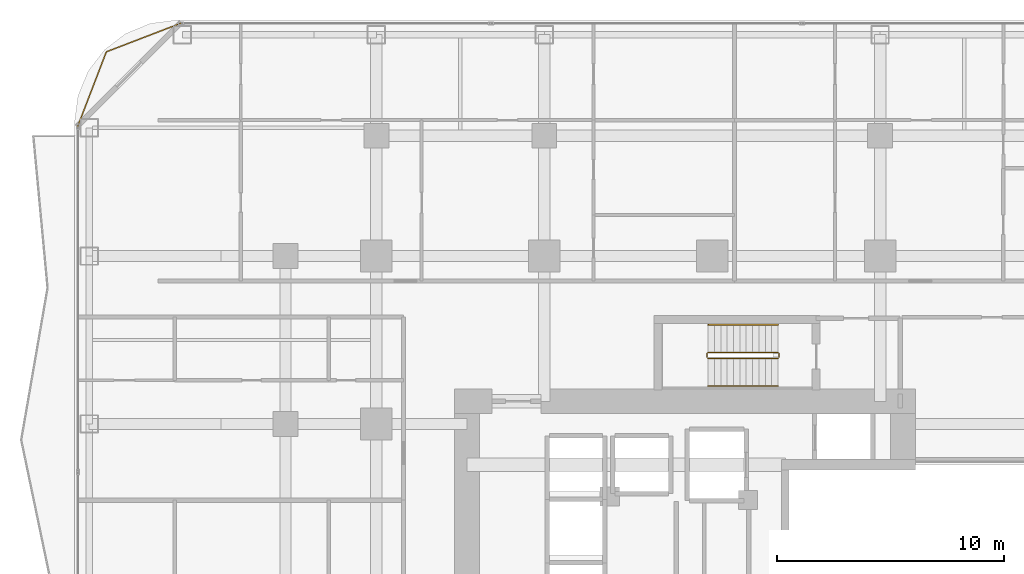
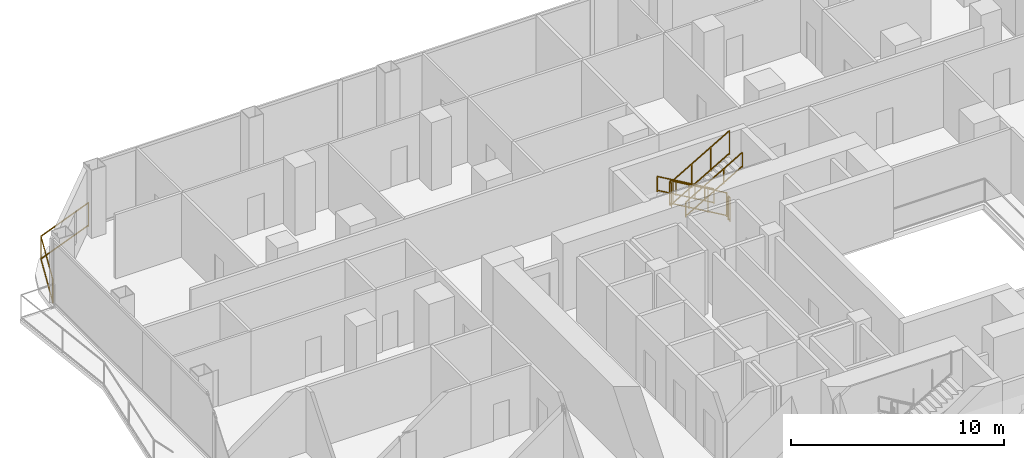
# One storey, part 28 of 29: 7 railings.
"""IFC4 building model written with IfcOpenShell, lengths in metres."""

from ifc_helpers import new_model, si_unit, direction, frame, origin, origin_2d, place, context, subcontext, project, spatial, rectangle, extrude, material, type_object, element, save


model = new_model("IFC4")

# Units and contexts
model_context = context("Model", 3, precision=1e-05, world=origin(), true_north=direction((0.0, 1.0)))
body_context = subcontext(model_context, "Body", "Model", "MODEL_VIEW")
ifc_project = project(units=[si_unit("LENGTHUNIT", "METRE"), si_unit("AREAUNIT", "SQUARE_METRE"), si_unit("VOLUMEUNIT", "CUBIC_METRE"), si_unit("PLANEANGLEUNIT", "RADIAN"), si_unit("MASSUNIT", "GRAM", prefix="KILO")], contexts=[model_context])

# Site, building, storey
site_placement = place(None, origin())
site = spatial("IfcSite", under=ifc_project, at=site_placement, CompositionType="ELEMENT")
building_placement = place(site_placement, origin())
building = spatial("IfcBuilding", under=site, at=building_placement, Name="Khorvyn Point Tower", CompositionType="ELEMENT")
storey_placement = place(building_placement, frame((0.0, 0.0, 54.0)))
storey = spatial("IfcBuildingStorey", under=building, at=storey_placement, Name="L14", CompositionType="ELEMENT", Elevation=54.0)

# Railings
ifc_material_1 = material(Name="Anodised aluminium 6063-T6 and laminated safety glass", Category="aluminium")
railing_type_1 = type_object("IfcRailingType", Name="Laminated Glass and Aluminium Balcony Guardrail 1400", PredefinedType="BALUSTRADE", material=ifc_material_1)
railing_1_placement = place(storey_placement, frame((-23.370849609375, 25.073974609375, 0.0)))
element("IfcRailing", 1, at=railing_1_placement, inside=storey, type_object=railing_type_1, Name="L14 Rounded Corner Edge Guardrail NW", PredefinedType="BALUSTRADE", context=body_context, shape_type="SweptSolid", body=[
    extrude(rectangle(XDim=0.048095703125, YDim=0.048095703125, at=origin_2d()), frame((0.0, 0.0, 1.3759765625), z_axis=(-0.933575007025, -0.358382067435, 0.0), x_axis=(0.358382067435, -0.933575007025, 0.0)), (0.0, 0.0, 1.0), 3.562744140625),
    extrude(rectangle(XDim=0.048095703125, YDim=0.048095703125, at=origin_2d()), frame((0.0, 0.0, 0.080078125), z_axis=(-0.933575007025, -0.358382067435, 0.0), x_axis=(0.358382067435, -0.933575007025, 0.0)), (0.0, 0.0, 1.0), 3.562744140625),
    extrude(rectangle(XDim=0.048095703125, YDim=0.048095703125, at=origin_2d()), frame((-3.326171875, -1.27685546875, 1.3759765625), z_axis=(-0.35841886047, -0.933560882031, 0.0), x_axis=(0.933560882031, -0.35841886047, 0.0)), (0.0, 0.0, 1.0), 3.563232421875),
    extrude(rectangle(XDim=0.048095703125, YDim=0.048095703125, at=origin_2d()), frame((-3.326171875, -1.27685546875, 0.080078125), z_axis=(-0.35841886047, -0.933560882031, 0.0), x_axis=(0.933560882031, -0.35841886047, 0.0)), (0.0, 0.0, 1.0), 3.563232421875),
    extrude(rectangle(XDim=0.0419921875, YDim=0.0419921875, at=origin_2d()), origin(), (0.0, 0.0, 1.0), 1.351806640625),
    extrude(rectangle(XDim=0.0419921875, YDim=0.0419921875, at=origin_2d()), frame((-3.326171875, -1.27685546875, 0.0)), (0.0, 0.0, 1.0), 1.351806640625),
    extrude(rectangle(XDim=0.0419921875, YDim=0.0419921875, at=origin_2d()), frame((-4.603271484375, -4.603271484375, 0.0)), (0.0, 0.0, 1.0), 1.351806640625),
])
ifc_material_2 = material(Name="Stainless steel 1.4301", Category="steel")
railing_type_2 = type_object("IfcRailingType", Name="Stainless Steel 304 Stair Pitch Handrail 900", PredefinedType="HANDRAIL", material=ifc_material_2)
railing_2_placement = place(storey_placement, frame((2.89990234375, 11.77001953125, 0.16259765625)))
element("IfcRailing", 2, at=railing_2_placement, inside=storey, type_object=railing_type_2, Name="L14 ST-02 stair handrail 1", PredefinedType="HANDRAIL", context=body_context, shape_type="SweptSolid", body=[
    extrude(rectangle(XDim=0.048095703125, YDim=0.048095703125, at=origin_2d()), frame((0.0, 0.0, 0.8759765625), z_axis=(-0.864903211148, 0.0, 0.501938676878), x_axis=(0.0, -1.0, 0.0)), (0.0, 0.0, 1.0), 3.560791015625),
    extrude(rectangle(XDim=0.048095703125, YDim=0.048095703125, at=origin_2d()), frame((0.0, 0.0, 0.080078125), z_axis=(-0.864903211148, 0.0, 0.501938676878), x_axis=(0.0, -1.0, 0.0)), (0.0, 0.0, 1.0), 3.560791015625),
    extrude(rectangle(XDim=0.0419921875, YDim=0.0419921875, at=origin_2d()), origin(), (0.0, 0.0, 1.0), 0.851806640625),
    extrude(rectangle(XDim=0.0419921875, YDim=0.0419921875, at=origin_2d()), frame((-1.026611328125, 0.0, 0.595703125)), (0.0, 0.0, 1.0), 0.851806640625),
    extrude(rectangle(XDim=0.0419921875, YDim=0.0419921875, at=origin_2d()), frame((-2.05322265625, 0.0, 1.191650390625)), (0.0, 0.0, 1.0), 0.851806640625),
    extrude(rectangle(XDim=0.0419921875, YDim=0.0419921875, at=origin_2d()), frame((-3.079833984375, 0.0, 1.787353515625)), (0.0, 0.0, 1.0), 0.851806640625),
])
railing_3_placement = place(storey_placement, frame((-0.179931640625, 9.070068359375, 2.112548828125)))
element("IfcRailing", 3, at=railing_3_placement, inside=storey, type_object=railing_type_2, Name="L14 ST-02 stair handrail 2", PredefinedType="HANDRAIL", context=body_context, shape_type="SweptSolid", body=[
    extrude(rectangle(XDim=0.048095703125, YDim=0.048095703125, at=origin_2d()), frame((0.0, 0.0, 0.8759765625), z_axis=(0.864903211148, 0.0, 0.501938676878), x_axis=(0.0, 1.0, 0.0)), (0.0, 0.0, 1.0), 3.560791015625),
    extrude(rectangle(XDim=0.048095703125, YDim=0.048095703125, at=origin_2d()), frame((0.0, 0.0, 0.080078125), z_axis=(0.864903211148, 0.0, 0.501938676878), x_axis=(0.0, 1.0, 0.0)), (0.0, 0.0, 1.0), 3.560791015625),
    extrude(rectangle(XDim=0.0419921875, YDim=0.0419921875, at=origin_2d()), origin(), (0.0, 0.0, 1.0), 0.851806640625),
    extrude(rectangle(XDim=0.0419921875, YDim=0.0419921875, at=origin_2d()), frame((1.026611328125, 0.0, 0.595703125)), (0.0, 0.0, 1.0), 0.851806640625),
    extrude(rectangle(XDim=0.0419921875, YDim=0.0419921875, at=origin_2d()), frame((2.05322265625, 0.0, 1.191650390625)), (0.0, 0.0, 1.0), 0.851806640625),
    extrude(rectangle(XDim=0.0419921875, YDim=0.0419921875, at=origin_2d()), frame((3.079833984375, 0.0, 1.787353515625)), (0.0, 0.0, 1.0), 0.851806640625),
])
railing_type_3 = type_object("IfcRailingType", Name="Stainless Steel 304 Stair Well Guardrail 1400", PredefinedType="GUARDRAIL", material=ifc_material_2)
railing_4_placement = place(storey_placement, frame((2.89990234375, 10.550048828125, 0.16259765625)))
element("IfcRailing", 4, at=railing_4_placement, inside=storey, type_object=railing_type_3, Name="L14 ST-02 stair guard 1", PredefinedType="GUARDRAIL", context=body_context, shape_type="SweptSolid", body=[
    extrude(rectangle(XDim=0.048095703125, YDim=0.048095703125, at=origin_2d()), frame((0.0, 0.0, 1.3759765625), z_axis=(-0.864903211148, 0.0, 0.501938676878), x_axis=(0.0, -1.0, 0.0)), (0.0, 0.0, 1.0), 3.560791015625),
    extrude(rectangle(XDim=0.048095703125, YDim=0.048095703125, at=origin_2d()), frame((0.0, 0.0, 0.080078125), z_axis=(-0.864903211148, 0.0, 0.501938676878), x_axis=(0.0, -1.0, 0.0)), (0.0, 0.0, 1.0), 3.560791015625),
    extrude(rectangle(XDim=0.0419921875, YDim=0.0419921875, at=origin_2d()), origin(), (0.0, 0.0, 1.0), 1.351806640625),
    extrude(rectangle(XDim=0.0419921875, YDim=0.0419921875, at=origin_2d()), frame((-1.026611328125, 0.0, 0.595703125)), (0.0, 0.0, 1.0), 1.351806640625),
    extrude(rectangle(XDim=0.0419921875, YDim=0.0419921875, at=origin_2d()), frame((-2.05322265625, 0.0, 1.191650390625)), (0.0, 0.0, 1.0), 1.351806640625),
    extrude(rectangle(XDim=0.0419921875, YDim=0.0419921875, at=origin_2d()), frame((-3.079833984375, 0.0, 1.787353515625)), (0.0, 0.0, 1.0), 1.351806640625),
])
railing_5_placement = place(storey_placement, frame((-0.22998046875, 10.5, 1.949951171875)))
element("IfcRailing", 5, at=railing_5_placement, inside=storey, type_object=railing_type_3, Name="L14 ST-02 stair guard 2", PredefinedType="GUARDRAIL", context=body_context, shape_type="SweptSolid", body=[
    extrude(rectangle(XDim=0.048095703125, YDim=0.048095703125, at=origin_2d()), frame((0.0, 0.0, 1.3759765625), z_axis=(0.0, -1.0, 0.0), x_axis=(1.0, 0.0, 0.0)), (0.0, 0.0, 1.0), 0.159912109375),
    extrude(rectangle(XDim=0.048095703125, YDim=0.048095703125, at=origin_2d()), frame((0.0, 0.0, 0.080078125), z_axis=(0.0, -1.0, 0.0), x_axis=(1.0, 0.0, 0.0)), (0.0, 0.0, 1.0), 0.159912109375),
    extrude(rectangle(XDim=0.0419921875, YDim=0.0419921875, at=origin_2d()), origin(), (0.0, 0.0, 1.0), 1.351806640625),
    extrude(rectangle(XDim=0.0419921875, YDim=0.0419921875, at=origin_2d()), frame((0.0, -0.159912109375, 0.0)), (0.0, 0.0, 1.0), 1.351806640625),
])
railing_6_placement = place(storey_placement, frame((-0.179931640625, 10.2900390625, 2.112548828125)))
element("IfcRailing", 6, at=railing_6_placement, inside=storey, type_object=railing_type_3, Name="L14 ST-02 stair guard 3", PredefinedType="GUARDRAIL", context=body_context, shape_type="SweptSolid", body=[
    extrude(rectangle(XDim=0.048095703125, YDim=0.048095703125, at=origin_2d()), frame((0.0, 0.0, 1.3759765625), z_axis=(0.864903211148, 0.0, 0.501938676878), x_axis=(0.0, 1.0, 0.0)), (0.0, 0.0, 1.0), 3.560791015625),
    extrude(rectangle(XDim=0.048095703125, YDim=0.048095703125, at=origin_2d()), frame((0.0, 0.0, 0.080078125), z_axis=(0.864903211148, 0.0, 0.501938676878), x_axis=(0.0, 1.0, 0.0)), (0.0, 0.0, 1.0), 3.560791015625),
    extrude(rectangle(XDim=0.0419921875, YDim=0.0419921875, at=origin_2d()), origin(), (0.0, 0.0, 1.0), 1.351806640625),
    extrude(rectangle(XDim=0.0419921875, YDim=0.0419921875, at=origin_2d()), frame((1.026611328125, 0.0, 0.595703125)), (0.0, 0.0, 1.0), 1.351806640625),
    extrude(rectangle(XDim=0.0419921875, YDim=0.0419921875, at=origin_2d()), frame((2.05322265625, 0.0, 1.191650390625)), (0.0, 0.0, 1.0), 1.351806640625),
    extrude(rectangle(XDim=0.0419921875, YDim=0.0419921875, at=origin_2d()), frame((3.079833984375, 0.0, 1.787353515625)), (0.0, 0.0, 1.0), 1.351806640625),
])
railing_7_placement = place(storey_placement, frame((2.949951171875, 10.5, 0.0)))
element("IfcRailing", 7, at=railing_7_placement, inside=storey, type_object=railing_type_3, Name="L14 ST-02 stair guard 4", PredefinedType="GUARDRAIL", context=body_context, shape_type="SweptSolid", body=[
    extrude(rectangle(XDim=0.048095703125, YDim=0.048095703125, at=origin_2d()), frame((0.0, 0.0, 1.3759765625), z_axis=(0.0, -1.0, 0.0), x_axis=(1.0, 0.0, 0.0)), (0.0, 0.0, 1.0), 0.159912109375),
    extrude(rectangle(XDim=0.048095703125, YDim=0.048095703125, at=origin_2d()), frame((0.0, 0.0, 0.080078125), z_axis=(0.0, -1.0, 0.0), x_axis=(1.0, 0.0, 0.0)), (0.0, 0.0, 1.0), 0.159912109375),
    extrude(rectangle(XDim=0.0419921875, YDim=0.0419921875, at=origin_2d()), origin(), (0.0, 0.0, 1.0), 1.351806640625),
    extrude(rectangle(XDim=0.0419921875, YDim=0.0419921875, at=origin_2d()), frame((0.0, -0.159912109375, 0.0)), (0.0, 0.0, 1.0), 1.351806640625),
])

save(model, "model.ifc")
